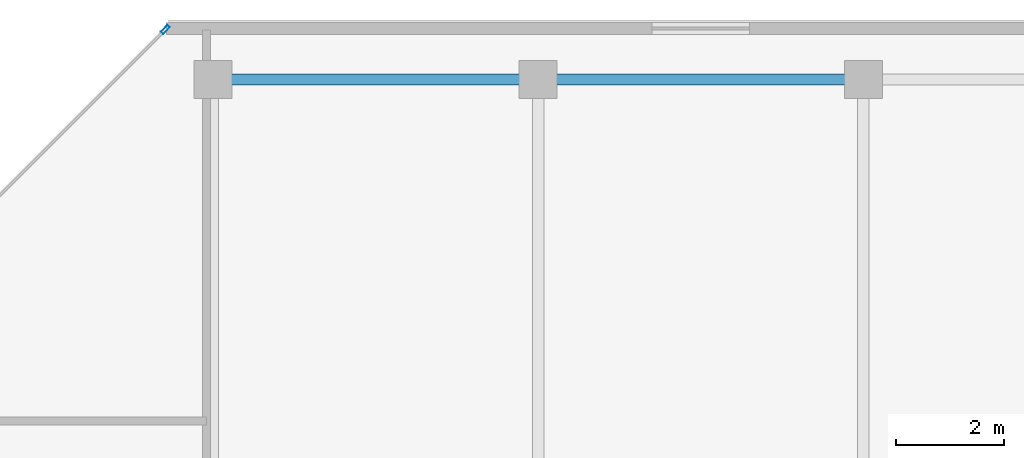
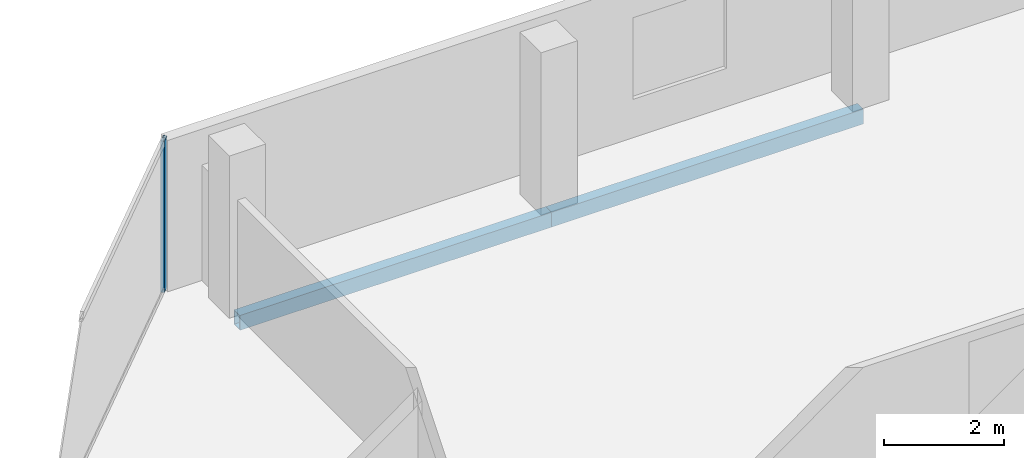
# One storey, part 14 of 29: 2 beams, 1 member, 1 element without a shape of its own.
"""IFC4 building model written with IfcOpenShell, lengths in metres."""

from ifc_helpers import new_model, si_unit, direction, frame, origin, origin_2d, place, context, subcontext, project, spatial, hollow_rectangle, extrude, material, layer, layer_set, material_profile, profile_set, type_object, element, aggregate, save


model = new_model("IFC4")

# Units and contexts
model_context = context("Model", 3, precision=1e-05, world=origin(), true_north=direction((0.0, 1.0)))
body_context = subcontext(model_context, "Body", "Model", "MODEL_VIEW")
ifc_project = project(units=[si_unit("LENGTHUNIT", "METRE"), si_unit("AREAUNIT", "SQUARE_METRE"), si_unit("VOLUMEUNIT", "CUBIC_METRE"), si_unit("PLANEANGLEUNIT", "RADIAN"), si_unit("MASSUNIT", "GRAM", prefix="KILO")], contexts=[model_context])

# Site, building, storey
site_placement = place(None, origin())
site = spatial("IfcSite", under=ifc_project, at=site_placement, CompositionType="ELEMENT")
building_placement = place(site_placement, origin())
building = spatial("IfcBuilding", under=site, at=building_placement, Name="Tanjung Sevakor Pilgrim Tower", CompositionType="ELEMENT")
storey_placement = place(building_placement, frame((0.0, 0.0, 235.949951171875)))
storey = spatial("IfcBuildingStorey", under=building, at=storey_placement, Name="L66", CompositionType="ELEMENT", Elevation=235.949951171875)

# Beams
ifc_material_1 = material(Name="Steel S355J2", Category="steel")
ifc_material_profile_1 = material_profile(ifc_material_1, hollow_rectangle(XDim=0.199951171875, YDim=0.300048828125, WallThickness=0.012451171875, at=origin_2d()))
ifc_profile_set_1 = profile_set([ifc_material_profile_1], Name="Steel S355J2")
beam_type = type_object("IfcBeamType", Name="BM-B-SP3-RHS_300x200x12.5", PredefinedType="SPANDREL", material=ifc_profile_set_1)
for number, where, z_axis, x_axis, name in (
    (1, (72.0, 53.949951171875, -0.369873046875), (1.0, 0.0, 0.0), (0.0, 1.0, 0.0), "L66 Spandrel EAST N-02"),
    (2, (78.0, 53.949951171875, -0.369873046875), (1.0, 0.0, 0.0), (0.0, 1.0, 0.0), "L66 Spandrel EAST N-04"),
):
    element("IfcBeam", number, at=place(storey_placement, frame(where, z_axis=z_axis, x_axis=x_axis)), inside=storey, type_object=beam_type, Name=name, PredefinedType="SPANDREL", context=body_context, shape_type="SweptSolid", body=[
        extrude(hollow_rectangle(XDim=0.199951171875, YDim=0.300048828125, WallThickness=0.012451171875, at=origin_2d()), origin(), (0.0, 0.0, 1.0), 6.0),
    ])

# Curtain wall, member
ifc_material_2 = material(Name="Aluminium 6063-T6 and Low-E Glass", Category="aluminium")
ifc_layer = layer(ifc_material_2, 0.179931640625)
ifc_layer_set = layer_set([ifc_layer], Name="CW-SYS-CHAM")
curtain_wall_type = type_object("IfcCurtainWallType", Name="CW-SYS-CHAM", PredefinedType="NOTDEFINED", material=ifc_layer_set)
curtain_wall_placement = place(storey_placement, origin())
curtain_wall = element("IfcCurtainWall", 3, at=curtain_wall_placement, inside=storey, type_object=curtain_wall_type, Name="L66 Curtain Wall CW-CHM-L66-EAST-5", PredefinedType="NOTDEFINED")
ifc_material_3 = material(Name="Aluminium 6063-T6", Category="aluminium")
ifc_material_profile_2 = material_profile(ifc_material_3, hollow_rectangle(XDim=0.06494140625, YDim=0.179931640625, WallThickness=0.00390625, at=origin_2d()))
ifc_profile_set_2 = profile_set([ifc_material_profile_2], Name="Aluminium 6063-T6")
member_type = type_object("IfcMemberType", Name="TYPE-CWM-1", PredefinedType="MULLION", material=ifc_profile_set_2)
member_placement = place(storey_placement, frame((71.12255859375, 54.866943359375, 0.0), z_axis=(0.0, 0.0, 1.0), x_axis=(0.707106781187, -0.707106781187, 0.0)))
member = element("IfcMember", 4, at=member_placement, type_object=member_type, Name="CW-CHM mullion 1", PredefinedType="MULLION", context=body_context, shape_type="SweptSolid", body=[
    extrude(hollow_rectangle(XDim=0.06494140625, YDim=0.179931640625, WallThickness=0.00390625, at=origin_2d()), origin(), (0.0, 0.0, 1.0), 3.080078125),
])
aggregate(curtain_wall, [member])

save(model, "model.ifc")
